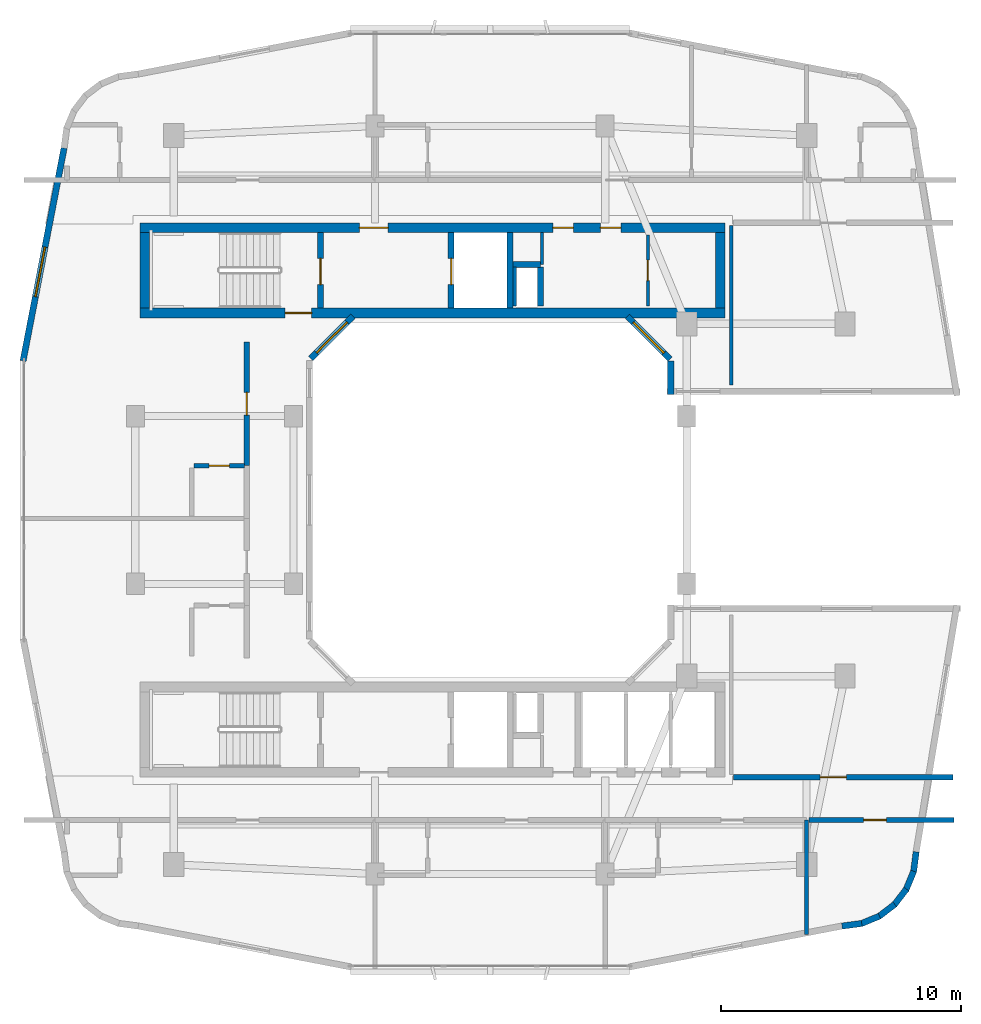
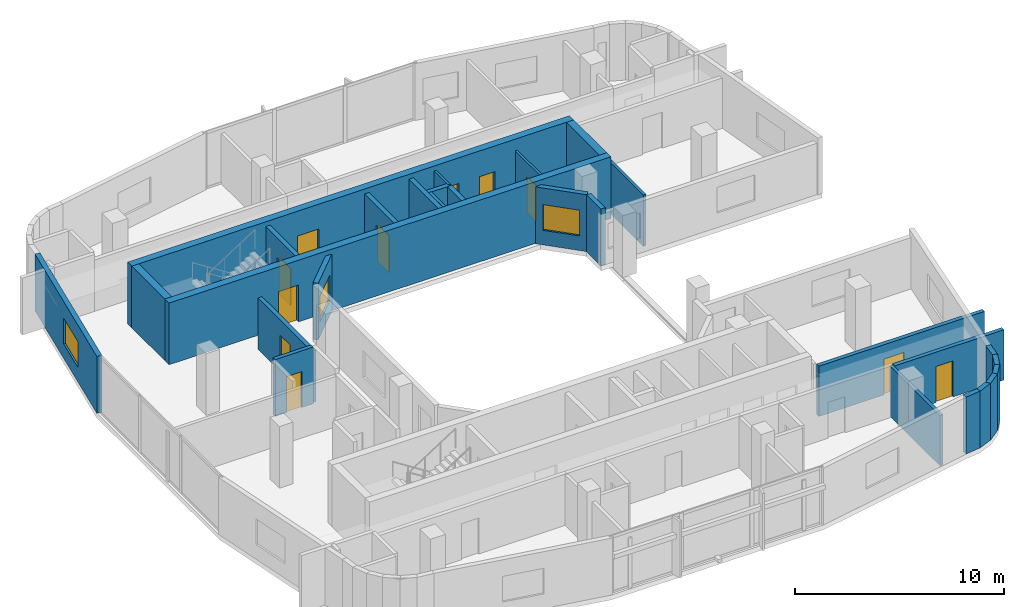
# One storey, part 6 of 12: 28 walls, 11 doors, 3 windows, 14 openings.
"""IFC4 building model written with IfcOpenShell, lengths in metres."""

import ifcopenshell
import ifcopenshell.guid

model = None  # the IFC model being written
_history = None  # IfcOwnerHistory: only IFC2X3 demands one
_inside = {}  # id of a spatial element -> (the spatial element, [elements in it])
_under = {}  # id of a project, library or spatial element -> (it, [spatial elements below it])
_declared = {}  # id of a project -> (the project, [libraries it declares])
_typed = {}  # id of a type object -> (the type object, [elements of that type])
_made_of = {}  # id of a material, layer set ... -> (it, [elements and type objects made of it])


def new_model(schema):
    """Start an empty IFC model of exactly this schema.

    Asked for "IFC4X3", IfcOpenShell would pick the latest addendum, in which some entities
    have other attributes; the version numbers below select the first issue.
    IFC2X3 requires an IfcOwnerHistory on every rooted entity: one is made here for all.
    """
    global model, _history
    if schema == "IFC4X3":
        model = ifcopenshell.file(schema_version=(4, 3, 0, 0))
    else:
        model = ifcopenshell.file(schema=schema)
    _inside.clear()
    _under.clear()
    _declared.clear()
    _typed.clear()
    _made_of.clear()
    _history = None
    if model.schema == "IFC2X3":
        org = make("IfcOrganization", Name="unknown")
        user = make(
            "IfcPersonAndOrganization",
            ThePerson=make("IfcPerson", FamilyName="unknown"),
            TheOrganization=org,
        )
        app = make(
            "IfcApplication",
            ApplicationDeveloper=org,
            Version="unknown",
            ApplicationFullName="unknown",
            ApplicationIdentifier="unknown",
        )
        _history = make(
            "IfcOwnerHistory",
            OwningUser=user,
            OwningApplication=app,
            ChangeAction="ADDED",
            CreationDate=0,
        )
    return model


def make(cls, **values):
    """One entity of the class cls with the attributes given. An attribute that is None is left unset."""
    return model.create_entity(
        cls, **{name: value for name, value in values.items() if value is not None}
    )


def rooted(cls, **values):
    """An entity with a GlobalId (a new one), such as an element, a storey or a relation."""
    return make(cls, GlobalId=ifcopenshell.guid.new(), OwnerHistory=_history, **values)


def si_unit(unit_type, name, prefix=None):
    """IfcSIUnit, for example si_unit("LENGTHUNIT", "METRE", prefix="MILLI")."""
    return make("IfcSIUnit", UnitType=unit_type, Prefix=prefix, Name=name)


def derived_unit(unit_type, elements):
    """IfcDerivedUnit: a product of units, each with its exponent."""
    return make(
        "IfcDerivedUnit",
        Elements=[
            make("IfcDerivedUnitElement", Unit=unit, Exponent=power)
            for unit, power in elements
        ],
        UnitType=unit_type,
    )


def assignment(units):
    """IfcUnitAssignment: the units of a project."""
    return None if units is None else make("IfcUnitAssignment", Units=units)


def point(xyz):
    """IfcCartesianPoint."""
    return None if xyz is None else make("IfcCartesianPoint", Coordinates=xyz)


def direction(xyz):
    """IfcDirection."""
    return None if xyz is None else make("IfcDirection", DirectionRatios=xyz)


def frame(location, z_axis=None, x_axis=None):
    """IfcAxis2Placement3D, a coordinate frame: its origin and axes. An axis left out is left unset."""
    return make(
        "IfcAxis2Placement3D",
        Location=point(location),
        Axis=direction(z_axis),
        RefDirection=direction(x_axis),
    )


def frame_2d(location, x_axis=None):
    """IfcAxis2Placement2D, a coordinate frame in the plane: its origin and x axis."""
    return make(
        "IfcAxis2Placement2D", Location=point(location), RefDirection=direction(x_axis)
    )


def origin():
    """The frame at (0, 0, 0) with its axes left unset."""
    return frame((0.0, 0.0, 0.0))


def place(relative_to, where):
    """IfcLocalPlacement: puts the frame where relative to a parent placement (None: the world)."""
    return make(
        "IfcLocalPlacement", PlacementRelTo=relative_to, RelativePlacement=where
    )


def context(
    kind, dimensions, precision=None, world=None, true_north=None, identifier=None
):
    """IfcGeometricRepresentationContext, for example the 3D "Model" context."""
    return make(
        "IfcGeometricRepresentationContext",
        ContextIdentifier=identifier,
        ContextType=kind,
        CoordinateSpaceDimension=dimensions,
        Precision=precision,
        WorldCoordinateSystem=world,
        TrueNorth=true_north,
    )


def subcontext(parent, identifier, kind, view, scale=None):
    """IfcGeometricRepresentationSubContext, for example "Body" below "Model"."""
    return make(
        "IfcGeometricRepresentationSubContext",
        ContextIdentifier=identifier,
        ContextType=kind,
        ParentContext=parent,
        TargetScale=scale,
        TargetView=view,
    )


def project(units=None, contexts=None):
    """IfcProject with its units and contexts."""
    return rooted(
        "IfcProject",
        Name="project",
        RepresentationContexts=contexts,
        UnitsInContext=assignment(units),
    )


def spatial(cls, under=None, at=None, **own):
    """A site, building, storey or space (cls), placed at a placement, below another one or the project."""
    s = rooted(cls, ObjectPlacement=at, **own)
    if under is not None:
        _under.setdefault(under.id(), (under, []))[1].append(s)
    return s


def profile(cls, at=None, kind="AREA", **sizes):
    """A parametric profile (cls). Its sizes go by their IFC names, for example OverallWidth=200.0."""
    return make(cls, ProfileType=kind, Position=at, **sizes)


def rectangle(**sizes):
    """IfcRectangleProfileDef."""
    return profile("IfcRectangleProfileDef", **sizes)


def extrude(swept, where, along, depth):
    """IfcExtrudedAreaSolid: the profile swept, set in the frame where, extruded along a direction by depth."""
    return make(
        "IfcExtrudedAreaSolid",
        SweptArea=swept,
        Position=where,
        ExtrudedDirection=direction(along),
        Depth=depth,
    )


def shape(context_of_items, identifier, shape_type, items):
    """IfcShapeRepresentation: the items that make up one representation, for example the "Body"."""
    return make(
        "IfcShapeRepresentation",
        ContextOfItems=context_of_items,
        RepresentationIdentifier=identifier,
        RepresentationType=shape_type,
        Items=items,
    )


def material(Name=None, Category=None):
    """IfcMaterial."""
    return make("IfcMaterial", Name=Name, Category=Category)


def layer(
    of_material, thickness, ventilated=None, Name=None, Category=None, Priority=None
):
    """IfcMaterialLayer: one layer of a wall or slab, of a material (None: an air gap)."""
    return make(
        "IfcMaterialLayer",
        Material=of_material,
        LayerThickness=thickness,
        IsVentilated=ventilated,
        Name=Name,
        Category=Category,
        Priority=Priority,
    )


def layer_set(layers, Name=None):
    """IfcMaterialLayerSet."""
    return make("IfcMaterialLayerSet", MaterialLayers=layers, LayerSetName=Name)


def made_of(thing, what):
    """Note that an element or type object is made of a material, layer set ...; save() writes the relation."""
    if what is not None:
        _made_of.setdefault(what.id(), (what, []))[1].append(thing)
    return thing


def type_object(cls, material=None, **own):
    """A type object (cls), such as IfcWallType, which elements share."""
    return made_of(rooted(cls, **own), material)


def element(
    cls,
    number,
    at=None,
    inside=None,
    cuts=None,
    type_object=None,
    material=None,
    context=None,
    identifier="Body",
    shape_type=None,
    held_by="IfcProductDefinitionShape",
    body=None,
    shapes=None,
    **own,
):
    """One element of the class cls, such as IfcWall. Its Tag is "e" and its number.

    at: its placement. inside: the storey or other place that contains it. cuts: it is an
    opening in that element (IfcRelVoidsElement). A single representation is given by context,
    identifier, shape_type and body (its items); several are given by shapes. held_by: the class
    of the entity that holds the representations. save() writes the other relations.
    """
    e = rooted(cls, Tag="e%d" % number, ObjectPlacement=at, **own)
    if body is not None:
        shapes = [shape(context, identifier, shape_type, body)]
    if shapes is not None:
        e.Representation = make(held_by, Representations=shapes)
    if inside is not None:
        _inside.setdefault(inside.id(), (inside, []))[1].append(e)
    if cuts is not None:
        rooted(
            "IfcRelVoidsElement", RelatingBuildingElement=cuts, RelatedOpeningElement=e
        )
    if type_object is not None:
        _typed.setdefault(type_object.id(), (type_object, []))[1].append(e)
    return made_of(e, material)


def fill(opening, filler):
    """IfcRelFillsElement: the door or window that sits in an opening."""
    return rooted(
        "IfcRelFillsElement",
        RelatingOpeningElement=opening,
        RelatedBuildingElement=filler,
    )


def aggregate(whole, parts):
    """IfcRelAggregates: a whole, such as a stair, and the parts it consists of."""
    return rooted("IfcRelAggregates", RelatingObject=whole, RelatedObjects=parts)


def save(model, path):
    """Write the relations noted so far, then the file.

    IfcRelAggregates (storeys below a building ...), IfcRelContainedInSpatialStructure (elements
    in a storey), IfcRelDefinesByType, IfcRelAssociatesMaterial and IfcRelDeclares: one each for
    every whole, place, type object, material and project.
    """
    for whole, parts in _under.values():
        aggregate(whole, parts)
    for where, things in _inside.values():
        rooted(
            "IfcRelContainedInSpatialStructure",
            RelatedElements=things,
            RelatingStructure=where,
        )
    for kind, things in _typed.values():
        rooted("IfcRelDefinesByType", RelatedObjects=things, RelatingType=kind)
    for what, things in _made_of.values():
        rooted("IfcRelAssociatesMaterial", RelatedObjects=things, RelatingMaterial=what)
    for by, libraries in _declared.values():
        rooted("IfcRelDeclares", RelatingContext=by, RelatedDefinitions=libraries)
    model.write(path)


model = new_model("IFC4")

# Units and contexts
model_context = context("Model", 3, precision=1e-05, world=origin(), true_north=direction((0.0, 1.0)))
body_context = subcontext(model_context, "Body", "Model", "MODEL_VIEW")
ifc_project = project(units=[si_unit("LENGTHUNIT", "METRE"), si_unit("AREAUNIT", "SQUARE_METRE"), si_unit("VOLUMEUNIT", "CUBIC_METRE"), si_unit("PLANEANGLEUNIT", "RADIAN"), si_unit("MASSUNIT", "GRAM", prefix="KILO"), derived_unit("THERMALTRANSMITTANCEUNIT", [(si_unit("POWERUNIT", "WATT"), 1), (si_unit("LENGTHUNIT", "METRE"), -2), (si_unit("THERMODYNAMICTEMPERATUREUNIT", "KELVIN"), -1)])], contexts=[model_context])

# Site, building, storey
site_placement = place(None, origin())
site = spatial("IfcSite", under=ifc_project, at=site_placement, CompositionType="ELEMENT")
building_placement = place(site_placement, origin())
building = spatial("IfcBuilding", under=site, at=building_placement, Name="Kivonza Crest Hotel", CompositionType="ELEMENT")
storey_placement = place(building_placement, frame((0.0, 0.0, 188.300048828125)))
storey = spatial("IfcBuildingStorey", under=building, at=storey_placement, Name="L51", CompositionType="ELEMENT", Elevation=188.300048828125)

# Wall
ifc_material_1 = material(Name="High-density acoustic masonry inter-tenancy wall", Category="masonry")
ifc_layer_1 = layer(ifc_material_1, 0.179931640625)
ifc_layer_set_1 = layer_set([ifc_layer_1], Name="High-density acoustic masonry inter-tenancy wall")
wall_type_1 = type_object("IfcWallType", Name="WL-ACOU-180", PredefinedType="SOLIDWALL", material=ifc_layer_set_1)
wall_1_placement = place(storey_placement, frame((34.199951171875, 6.8720703125, 0.0), z_axis=(0.0, 0.0, 1.0), x_axis=(0.0, 1.0, 0.0)))
element("IfcWall", 1, at=wall_1_placement, inside=storey, type_object=wall_type_1, Name="L51 interior partition WA-L51-T1S-DIV3", PredefinedType="SOLIDWALL", context=body_context, shape_type="SweptSolid", body=[
    extrude(rectangle(XDim=4.77783203125, YDim=0.179931640625, at=frame_2d((2.388916015625, 0.0))), origin(), (0.0, 0.0, 1.0), 2.93505859375),
])

# Wall, opening, door
ifc_material_2 = material(Name="Autoclaved aerated concrete blockwork", Category="masonry")
ifc_layer_2 = layer(ifc_material_2, 0.219970703125)
ifc_layer_set_2 = layer_set([ifc_layer_2], Name="Autoclaved aerated concrete blockwork")
wall_type_2 = type_object("IfcWallType", Name="WL-ACOU-220", PredefinedType="SOLIDWALL", material=ifc_layer_set_2)
wall_2_placement = place(storey_placement, frame((34.300048828125, 11.64990234375, 0.0), z_axis=(0.0, 0.0, 1.0), x_axis=(1.0, 0.0, 0.0)))
wall_2 = element("IfcWall", 2, at=wall_2_placement, inside=storey, type_object=wall_type_2, Name="L51 interior partition WA-L51-BUS-MTG-N", PredefinedType="SOLIDWALL", context=body_context, shape_type="SweptSolid", body=[
    extrude(rectangle(XDim=6.0400390625, YDim=0.219970703125, at=frame_2d((3.02001953125, 0.0))), origin(), (0.0, 0.0, 1.0), 2.93505859375),
])
opening_1_placement = place(wall_2_placement, frame((2.280029296875, 0.0, 0.0)))
opening_1 = element("IfcOpeningElement", 3, at=opening_1_placement, cuts=wall_2, Name="Opening DF-60S", PredefinedType="OPENING", context=body_context, shape_type="SweptSolid", body=[
    extrude(rectangle(XDim=0.949951171875, YDim=2.10009765625, at=frame_2d((0.47509765625, 1.050048828125))), frame((0.0, 0.1201171875, 0.0), z_axis=(0.0, -1.0, 0.0), x_axis=(1.0, 0.0, 0.0)), (0.0, 0.0, 1.0), 0.239990234375),
])
ifc_material_3 = material(Name="Hardwood timber oak", Category="wood")
door_type_1 = type_object("IfcDoorType", Name="DR-FD60-950", OperationType="NOTDEFINED", PredefinedType="DOOR", material=ifc_material_3)
door_1_placement = place(opening_1_placement, frame((0.949951171875, 0.0, 0.0), z_axis=(0.0, 0.0, 1.0), x_axis=(-1.0, 0.0, 0.0)))
door_1 = element("IfcDoor", 4, at=door_1_placement, inside=storey, type_object=door_type_1, Name="L51 Executive Club Lounge door", OperationType="SINGLE_SWING_RIGHT", OverallHeight=2.10009765625, OverallWidth=0.949951171875, PredefinedType="DOOR", context=body_context, shape_type="SweptSolid", body=[
    extrude(rectangle(XDim=0.949951171875, YDim=2.10009765625, at=frame_2d((0.47509765625, 1.050048828125))), frame((0.0, 0.02490234375, 0.0), z_axis=(0.0, -1.0, 0.0), x_axis=(1.0, 0.0, 0.0)), (0.0, 0.0, 1.0), 0.050048828125),
])
fill(opening_1, door_1)

wall_3_placement = place(storey_placement, frame((10.85009765625, 26.429931640625, 0.0), z_axis=(0.0, 0.0, 1.0), x_axis=(0.0, 1.0, 0.0)))
wall_3 = element("IfcWall", 5, at=wall_3_placement, inside=storey, type_object=wall_type_2, Name="L51 interior partition WA-L51-W08-MCORR", PredefinedType="SOLIDWALL", context=body_context, shape_type="SweptSolid", body=[
    extrude(rectangle(XDim=5.170166015625, YDim=0.219970703125, at=frame_2d((2.5849609375, 0.0))), origin(), (0.0, 0.0, 1.0), 2.994873046875),
])
opening_2_placement = place(wall_3_placement, frame((2.110107421875, 0.0, 0.0)))
opening_2 = element("IfcOpeningElement", 6, at=opening_2_placement, cuts=wall_3, Name="Opening DU-60", PredefinedType="OPENING", context=body_context, shape_type="SweptSolid", body=[
    extrude(rectangle(XDim=0.949951171875, YDim=2.10009765625, at=frame_2d((0.47509765625, 1.050048828125))), frame((0.0, 0.1201171875, 0.0), z_axis=(0.0, -1.0, 0.0), x_axis=(1.0, 0.0, 0.0)), (0.0, 0.0, 1.0), 0.239990234375),
])
door_type_2 = type_object("IfcDoorType", Name="DR-UNIT-950", OperationType="NOTDEFINED", PredefinedType="DOOR", material=ifc_material_3)
door_2_placement = place(opening_2_placement, origin())
door_2 = element("IfcDoor", 7, at=door_2_placement, inside=storey, type_object=door_type_2, Name="L51 W08 guest unit entrance fire door", OperationType="SINGLE_SWING_RIGHT", OverallHeight=2.10009765625, OverallWidth=0.949951171875, PredefinedType="DOOR", context=body_context, shape_type="SweptSolid", body=[
    extrude(rectangle(XDim=0.949951171875, YDim=2.10009765625, at=frame_2d((0.47509765625, 1.050048828125))), frame((0.0, 0.02490234375, 0.0), z_axis=(0.0, -1.0, 0.0), x_axis=(1.0, 0.0, 0.0)), (0.0, 0.0, 1.0), 0.050048828125),
])
fill(opening_2, door_2)

wall_4_placement = place(storey_placement, frame((31.14990234375, 13.43994140625, 0.0), z_axis=(0.0, 0.0, 1.0), x_axis=(1.0, 0.0, 0.0)))
wall_4 = element("IfcWall", 8, at=wall_4_placement, inside=storey, type_object=wall_type_2, Name="L51 interior partition WA-L51-EP1-S", PredefinedType="SOLIDWALL", context=body_context, shape_type="SweptSolid", body=[
    extrude(rectangle(XDim=9.150146484375, YDim=0.219970703125, at=frame_2d((4.5751953125, 0.0))), origin(), (0.0, 0.0, 1.0), 2.93505859375),
])
opening_3_placement = place(wall_4_placement, frame((3.612060546875, 0.0, 0.0)))
opening_3 = element("IfcOpeningElement", 9, at=opening_3_placement, cuts=wall_4, Name="Opening DF-60M", PredefinedType="OPENING", context=body_context, shape_type="SweptSolid", body=[
    extrude(rectangle(XDim=1.10009765625, YDim=2.10009765625, at=frame_2d((0.550048828125, 1.050048828125))), frame((0.0, 0.1201171875, 0.0), z_axis=(0.0, -1.0, 0.0), x_axis=(1.0, 0.0, 0.0)), (0.0, 0.0, 1.0), 0.239990234375),
])
door_type_3 = type_object("IfcDoorType", Name="DR-FD60-1100", OperationType="NOTDEFINED", PredefinedType="DOOR", material=ifc_material_3)
door_3_placement = place(opening_3_placement, origin())
door_3 = element("IfcDoor", 10, at=door_3_placement, inside=storey, type_object=door_type_3, Name="L51 South Portal Sky Salon door", OperationType="SINGLE_SWING_RIGHT", OverallHeight=2.10009765625, OverallWidth=1.10009765625, PredefinedType="DOOR", context=body_context, shape_type="SweptSolid", body=[
    extrude(rectangle(XDim=1.10009765625, YDim=2.10009765625, at=frame_2d((0.550048828125, 1.050048828125))), frame((0.0, 0.02490234375, 0.0), z_axis=(0.0, -1.0, 0.0), x_axis=(1.0, 0.0, 0.0)), (0.0, 0.0, 1.0), 0.050048828125),
])
fill(opening_3, door_3)

ifc_material_4 = material(Name="Concrete C50/60", Category="concrete")
ifc_layer_3 = layer(ifc_material_4, 0.39990234375)
ifc_layer_set_3 = layer_set([ifc_layer_3], Name="Concrete C50/60")
wall_type_3 = type_object("IfcWallType", Name="WL-CORE-400", PredefinedType="SHEAR", material=ifc_layer_set_3)
wall_5_placement = place(storey_placement, frame((6.39990234375, 32.800048828125, 0.0), z_axis=(0.0, 0.0, 1.0), x_axis=(1.0, 0.0, 0.0)))
wall_5 = element("IfcWall", 11, at=wall_5_placement, inside=storey, type_object=wall_type_3, Name="Core wall T1-N South L51", PredefinedType="SHEAR", context=body_context, shape_type="SweptSolid", body=[
    extrude(rectangle(XDim=24.400146484375, YDim=0.39990234375, at=frame_2d((12.2001953125, 0.0))), origin(), (0.0, 0.0, 1.0), 3.599853515625),
])
opening_4_placement = place(wall_5_placement, frame((6.050048828125, 0.0, 0.0)))
opening_4 = element("IfcOpeningElement", 12, at=opening_4_placement, cuts=wall_5, Name="Opening DF-120", PredefinedType="OPENING", context=body_context, shape_type="SweptSolid", body=[
    extrude(rectangle(XDim=1.10009765625, YDim=2.14990234375, at=frame_2d((0.550048828125, 1.074951171875))), frame((0.0, 0.2099609375, 0.0), z_axis=(0.0, -1.0, 0.0), x_axis=(1.0, 0.0, 0.0)), (0.0, 0.0, 1.0), 0.419921875),
])
ifc_material_5 = material(Name="Galvanised steel", Category="steel")
door_type_4 = type_object("IfcDoorType", Name="DR-FD120-1100", OperationType="NOTDEFINED", PredefinedType="DOOR", material=ifc_material_5)
door_4_placement = place(opening_4_placement, origin())
door_4 = element("IfcDoor", 13, at=door_4_placement, inside=storey, type_object=door_type_4, Name="L51 West corridor stair access fire door", OperationType="SINGLE_SWING_LEFT", OverallHeight=2.14990234375, OverallWidth=1.10009765625, PredefinedType="DOOR", context=body_context, shape_type="SweptSolid", body=[
    extrude(rectangle(XDim=1.10009765625, YDim=2.14990234375, at=frame_2d((0.550048828125, 1.074951171875))), frame((0.0, 0.02490234375, 0.0), z_axis=(0.0, -1.0, 0.0), x_axis=(1.0, 0.0, 0.0)), (0.0, 0.0, 1.0), 0.050048828125),
])
fill(opening_4, door_4)

# Wall, openings, doors
wall_6_placement = place(storey_placement, frame((6.39990234375, 36.360107421875, 0.0), z_axis=(0.0, 0.0, 1.0), x_axis=(1.0, 0.0, 0.0)))
wall_6 = element("IfcWall", 14, at=wall_6_placement, inside=storey, type_object=wall_type_3, Name="Core wall T1-N North L51", PredefinedType="SHEAR", context=body_context, shape_type="SweptSolid", body=[
    extrude(rectangle(XDim=24.400146484375, YDim=0.39990234375, at=frame_2d((12.2001953125, 0.0))), origin(), (0.0, 0.0, 1.0), 3.599853515625),
])
opening_5_placement = place(wall_6_placement, frame((9.14990234375, 0.0, 0.0)))
opening_5 = element("IfcOpeningElement", 15, at=opening_5_placement, cuts=wall_6, Name="Opening DF-60", PredefinedType="OPENING", context=body_context, shape_type="SweptSolid", body=[
    extrude(rectangle(XDim=1.199951171875, YDim=2.14990234375, at=frame_2d((0.60009765625, 1.074951171875))), frame((0.0, 0.2099609375, 0.0), z_axis=(0.0, -1.0, 0.0), x_axis=(1.0, 0.0, 0.0)), (0.0, 0.0, 1.0), 0.419921875),
])
opening_6_placement = place(wall_6_placement, frame((19.199951171875, 0.0, 0.0)))
opening_6 = element("IfcOpeningElement", 16, at=opening_6_placement, cuts=wall_6, Name="Opening DF-60R", PredefinedType="OPENING", context=body_context, shape_type="SweptSolid", body=[
    extrude(rectangle(XDim=0.85009765625, YDim=2.10009765625, at=frame_2d((0.425048828125, 1.050048828125))), frame((0.0, 0.2099609375, 0.0), z_axis=(0.0, -1.0, 0.0), x_axis=(1.0, 0.0, 0.0)), (0.0, 0.0, 1.0), 0.419921875),
])
opening_7_placement = place(wall_6_placement, frame((17.219970703125, 0.0, 0.0)))
opening_7 = element("IfcOpeningElement", 17, at=opening_7_placement, cuts=wall_6, Name="Opening DF-60R", PredefinedType="OPENING", context=body_context, shape_type="SweptSolid", body=[
    extrude(rectangle(XDim=0.85009765625, YDim=2.10009765625, at=frame_2d((0.425048828125, 1.050048828125))), frame((0.0, 0.2099609375, 0.0), z_axis=(0.0, -1.0, 0.0), x_axis=(1.0, 0.0, 0.0)), (0.0, 0.0, 1.0), 0.419921875),
])
door_type_5 = type_object("IfcDoorType", Name="DR-FD60-1200", OperationType="NOTDEFINED", PredefinedType="DOOR", material=ifc_material_3)
door_5_placement = place(opening_5_placement, origin())
door_5 = element("IfcDoor", 18, at=door_5_placement, inside=storey, type_object=door_type_5, Name="L51 T1-N firefighting lobby fire door", OperationType="SINGLE_SWING_RIGHT", OverallHeight=2.14990234375, OverallWidth=1.199951171875, PredefinedType="DOOR", context=body_context, shape_type="SweptSolid", body=[
    extrude(rectangle(XDim=1.199951171875, YDim=2.14990234375, at=frame_2d((0.60009765625, 1.074951171875))), frame((0.0, 0.02490234375, 0.0), z_axis=(0.0, -1.0, 0.0), x_axis=(1.0, 0.0, 0.0)), (0.0, 0.0, 1.0), 0.050048828125),
])
fill(opening_5, door_5)
door_type_6 = type_object("IfcDoorType", Name="DR-FD60-850", OperationType="NOTDEFINED", PredefinedType="DOOR", material=ifc_material_3)
door_6_placement = place(opening_6_placement, origin())
door_6 = element("IfcDoor", 19, at=door_6_placement, inside=storey, type_object=door_type_6, Name="L51 T1-N reclaimed core service door", OperationType="SINGLE_SWING_LEFT", OverallHeight=2.10009765625, OverallWidth=0.85009765625, PredefinedType="DOOR", context=body_context, shape_type="SweptSolid", body=[
    extrude(rectangle(XDim=0.85009765625, YDim=2.10009765625, at=frame_2d((0.425048828125, 1.050048828125))), frame((0.0, 0.02490234375, 0.0), z_axis=(0.0, -1.0, 0.0), x_axis=(1.0, 0.0, 0.0)), (0.0, 0.0, 1.0), 0.050048828125),
])
fill(opening_6, door_6)
door_7_placement = place(opening_7_placement, origin())
door_7 = element("IfcDoor", 20, at=door_7_placement, inside=storey, type_object=door_type_6, Name="L51 T1-N core room door", OperationType="SINGLE_SWING_RIGHT", OverallHeight=2.10009765625, OverallWidth=0.85009765625, PredefinedType="DOOR", context=body_context, shape_type="SweptSolid", body=[
    extrude(rectangle(XDim=0.85009765625, YDim=2.10009765625, at=frame_2d((0.425048828125, 1.050048828125))), frame((0.0, 0.02490234375, 0.0), z_axis=(0.0, -1.0, 0.0), x_axis=(1.0, 0.0, 0.0)), (0.0, 0.0, 1.0), 0.050048828125),
])
fill(opening_7, door_7)

# Walls
for number, where, z_axis, x_axis, name in (
    (21, (6.60009765625, 33.0, 0.0), (0.0, 0.0, 1.0), (0.0, 1.0, 0.0), "Core wall T1-N West L51"),
    (22, (30.60009765625, 33.0, 0.0), (0.0, 0.0, 1.0), (0.0, 1.0, 0.0), "Core wall T1-N East L51"),
):
    element("IfcWall", number, at=place(storey_placement, frame(where, z_axis=z_axis, x_axis=x_axis)), inside=storey, type_object=wall_type_3, Name=name, PredefinedType="SHEAR", context=body_context, shape_type="SweptSolid", body=[
        extrude(rectangle(XDim=3.159912109375, YDim=0.39990234375, at=frame_2d((1.580078125, 0.0))), origin(), (0.0, 0.0, 1.0), 3.599853515625),
    ])
ifc_material_6 = material(Name="Precast concrete C40/50", Category="concrete")
ifc_layer_4 = layer(ifc_material_6, 0.260009765625)
ifc_layer_set_4 = layer_set([ifc_layer_4], Name="Precast concrete C40/50")
wall_type_4 = type_object("IfcWallType", Name="WL-EXT-260", PredefinedType="STANDARD", material=ifc_layer_set_4)
wall_7_placement = place(storey_placement, frame((35.675048828125, 7.22802734375, 0.0), z_axis=(0.0, 0.0, 1.0), x_axis=(0.99142134712, 0.130704676564, 0.0)))
element("IfcWall", 23, at=wall_7_placement, inside=storey, type_object=wall_type_4, Name="L51 T1 exterior insulated wall 10", PredefinedType="STANDARD", context=body_context, shape_type="SweptSolid", body=[
    extrude(rectangle(XDim=0.8330078125, YDim=0.260009765625, at=frame_2d((0.41650390625, 0.0))), origin(), (0.0, 0.0, 1.0), 3.320068359375),
])
wall_8_placement = place(storey_placement, frame((36.455078125, 7.319091796875, 0.0), z_axis=(0.0, 0.0, 1.0), x_axis=(0.923712395518, 0.383086687796, 0.0)))
element("IfcWall", 24, at=wall_8_placement, inside=storey, type_object=wall_type_4, Name="L51 T1 exterior insulated wall 11", PredefinedType="STANDARD", context=body_context, shape_type="SweptSolid", body=[
    extrude(rectangle(XDim=0.850830078125, YDim=0.260009765625, at=frame_2d((0.42529296875, 0.0))), origin(), (0.0, 0.0, 1.0), 3.320068359375),
])
for number, where, z_axis, x_axis, name in (
    (25, (37.200927734375, 7.616943359375, 0.0), (0.0, 0.0, 1.0), (0.793860452124, 0.608099977432, 0.0), "L51 T1 exterior insulated wall 12"),
    (26, (37.844970703125, 8.095947265625, 0.0), (0.0, 0.0, 1.0), (0.608099977432, 0.793860452124, 0.0), "L51 T1 exterior insulated wall 13"),
):
    element("IfcWall", number, at=place(storey_placement, frame(where, z_axis=z_axis, x_axis=x_axis)), inside=storey, type_object=wall_type_4, Name=name, PredefinedType="STANDARD", context=body_context, shape_type="SweptSolid", body=[
        extrude(rectangle(XDim=0.850341796875, YDim=0.260009765625, at=frame_2d((0.42529296875, 0.0))), origin(), (0.0, 0.0, 1.0), 3.320068359375),
    ])
wall_9_placement = place(storey_placement, frame((38.341064453125, 8.72705078125, 0.0), z_axis=(0.0, 0.0, 1.0), x_axis=(0.383086687796, 0.923712395518, 0.0)))
element("IfcWall", 27, at=wall_9_placement, inside=storey, type_object=wall_type_4, Name="L51 T1 exterior insulated wall 14", PredefinedType="STANDARD", context=body_context, shape_type="SweptSolid", body=[
    extrude(rectangle(XDim=0.850830078125, YDim=0.260009765625, at=frame_2d((0.42529296875, 0.0))), origin(), (0.0, 0.0, 1.0), 3.320068359375),
])
wall_10_placement = place(storey_placement, frame((38.658935546875, 9.464111328125, 0.0), z_axis=(0.0, 0.0, 1.0), x_axis=(0.130192647656, 0.991488716273, 0.0)))
element("IfcWall", 28, at=wall_10_placement, inside=storey, type_object=wall_type_4, Name="L51 T1 exterior insulated wall 15", PredefinedType="STANDARD", context=body_context, shape_type="SweptSolid", body=[
    extrude(rectangle(XDim=0.8681640625, YDim=0.260009765625, at=frame_2d((0.43408203125, 0.0))), origin(), (0.0, 0.0, 1.0), 3.320068359375),
])

# Wall, opening, window
wall_11_placement = place(storey_placement, frame((13.514892578125, 30.89892578125, 0.0), z_axis=(0.0, 0.0, 1.0), x_axis=(0.707106781187, 0.707106781187, 0.0)))
wall_11 = element("IfcWall", 29, at=wall_11_placement, inside=storey, type_object=wall_type_4, Name="L51 T1 exterior insulated wall 23", PredefinedType="STANDARD", context=body_context, shape_type="SweptSolid", body=[
    extrude(rectangle(XDim=2.493408203125, YDim=0.260009765625, at=frame_2d((1.24658203125, 0.0))), origin(), (0.0, 0.0, 1.0), 3.320068359375),
])
opening_8_placement = place(wall_11_placement, frame((0.346923828125, 0.0, 0.85009765625)))
opening_8 = element("IfcOpeningElement", 30, at=opening_8_placement, cuts=wall_11, Name="Opening WN-03", PredefinedType="OPENING", context=body_context, shape_type="SweptSolid", body=[
    extrude(rectangle(XDim=1.800048828125, YDim=1.5, at=frame_2d((0.89990234375, 0.75))), frame((0.0, 0.14013671875, 0.0), z_axis=(0.0, -1.0, 0.0), x_axis=(1.0, 0.0, 0.0)), (0.0, 0.0, 1.0), 0.280029296875),
])
ifc_material_7 = material(Name="Thermally broken bronze aluminium and low-E double glazing", Category="aluminium")
window_type_1 = type_object("IfcWindowType", Name="WN-180x150", PartitioningType="DOUBLE_PANEL_VERTICAL", PredefinedType="WINDOW", material=ifc_material_7)
window_1_placement = place(opening_8_placement, origin())
window_1 = element("IfcWindow", 31, at=window_1_placement, inside=storey, type_object=window_type_1, Name="L51 T1 facade window 23", OverallHeight=1.5, OverallWidth=1.800048828125, PartitioningType="SINGLE_PANEL", PredefinedType="WINDOW", context=body_context, shape_type="SweptSolid", body=[
    extrude(rectangle(XDim=1.800048828125, YDim=1.5, at=frame_2d((0.89990234375, 0.75))), frame((0.0, 0.030029296875, 0.0), z_axis=(0.0, -1.0, 0.0), x_axis=(1.0, 0.0, 0.0)), (0.0, 0.0, 1.0), 0.06005859375),
])
fill(opening_8, window_1)

wall_12_placement = place(storey_placement, frame((26.721923828125, 32.662109375, 0.0), z_axis=(0.0, 0.0, 1.0), x_axis=(0.707106781187, -0.707106781187, 0.0)))
wall_12 = element("IfcWall", 32, at=wall_12_placement, inside=storey, type_object=wall_type_4, Name="L51 T1 exterior insulated wall 25", PredefinedType="STANDARD", context=body_context, shape_type="SweptSolid", body=[
    extrude(rectangle(XDim=2.52880859375, YDim=0.260009765625, at=frame_2d((1.264404296875, 0.0))), origin(), (0.0, 0.0, 1.0), 3.320068359375),
])
opening_9_placement = place(wall_12_placement, frame((0.364013671875, 0.0, 0.85009765625)))
opening_9 = element("IfcOpeningElement", 33, at=opening_9_placement, cuts=wall_12, Name="Opening WN-03", PredefinedType="OPENING", context=body_context, shape_type="SweptSolid", body=[
    extrude(rectangle(XDim=1.800048828125, YDim=1.5, at=frame_2d((0.89990234375, 0.75))), frame((0.0, 0.14013671875, 0.0), z_axis=(0.0, -1.0, 0.0), x_axis=(1.0, 0.0, 0.0)), (0.0, 0.0, 1.0), 0.280029296875),
])
window_2_placement = place(opening_9_placement, origin())
window_2 = element("IfcWindow", 34, at=window_2_placement, inside=storey, type_object=window_type_1, Name="L51 T1 facade window 25", OverallHeight=1.5, OverallWidth=1.800048828125, PartitioningType="SINGLE_PANEL", PredefinedType="WINDOW", context=body_context, shape_type="SweptSolid", body=[
    extrude(rectangle(XDim=1.800048828125, YDim=1.5, at=frame_2d((0.89990234375, 0.75))), frame((0.0, 0.030029296875, 0.0), z_axis=(0.0, -1.0, 0.0), x_axis=(1.0, 0.0, 0.0)), (0.0, 0.0, 1.0), 0.06005859375),
])
fill(opening_9, window_2)

# Wall
wall_13_placement = place(storey_placement, frame((28.530029296875, 30.7900390625, 0.0), z_axis=(0.0, 0.0, 1.0), x_axis=(0.0, -1.0, 0.0)))
element("IfcWall", 35, at=wall_13_placement, inside=storey, type_object=wall_type_4, Name="L51 T1 exterior insulated wall 26", PredefinedType="STANDARD", context=body_context, shape_type="SweptSolid", body=[
    extrude(rectangle(XDim=1.380126953125, YDim=0.260009765625, at=frame_2d((0.68994140625, 0.0))), origin(), (0.0, 0.0, 1.0), 3.320068359375),
])

# Wall, opening, window
wall_14_placement = place(storey_placement, frame((3.22998046875, 39.68310546875, 0.0), z_axis=(0.0, 0.0, 1.0), x_axis=(-0.189254809039, -0.98192801022, 0.0)))
wall_14 = element("IfcWall", 36, at=wall_14_placement, inside=storey, type_object=wall_type_4, Name="L51 T1 exterior insulated wall 44", PredefinedType="STANDARD", context=body_context, shape_type="SweptSolid", body=[
    extrude(rectangle(XDim=9.045654296875, YDim=0.260009765625, at=frame_2d((4.52294921875, 0.0))), origin(), (0.0, 0.0, 1.0), 3.320068359375),
])
opening_10_placement = place(wall_14_placement, frame((4.2119140625, 0.0, 0.85009765625)))
opening_10 = element("IfcOpeningElement", 37, at=opening_10_placement, cuts=wall_14, Name="Opening WN-04", PredefinedType="OPENING", context=body_context, shape_type="SweptSolid", body=[
    extrude(rectangle(XDim=2.10009765625, YDim=1.5, at=frame_2d((1.050048828125, 0.75))), frame((0.0, 0.14013671875, 0.0), z_axis=(0.0, -1.0, 0.0), x_axis=(1.0, 0.0, 0.0)), (0.0, 0.0, 1.0), 0.280029296875),
])
window_type_2 = type_object("IfcWindowType", Name="WN-210x150", PartitioningType="DOUBLE_PANEL_VERTICAL", PredefinedType="WINDOW", material=ifc_material_7)
window_3_placement = place(opening_10_placement, origin())
window_3 = element("IfcWindow", 38, at=window_3_placement, inside=storey, type_object=window_type_2, Name="L51 T1 facade window 44", OverallHeight=1.5, OverallWidth=2.10009765625, PartitioningType="SINGLE_PANEL", PredefinedType="WINDOW", context=body_context, shape_type="SweptSolid", body=[
    extrude(rectangle(XDim=2.10009765625, YDim=1.5, at=frame_2d((1.050048828125, 0.75))), frame((0.0, 0.030029296875, 0.0), z_axis=(0.0, -1.0, 0.0), x_axis=(1.0, 0.0, 0.0)), (0.0, 0.0, 1.0), 0.06005859375),
])
fill(opening_10, window_3)

# Walls
ifc_material_8 = material(Name="Concrete blockwork fire-compartment wall", Category="masonry")
ifc_layer_5 = layer(ifc_material_8, 0.25)
ifc_layer_set_5 = layer_set([ifc_layer_5], Name="Concrete blockwork fire-compartment wall")
wall_type_5 = type_object("IfcWallType", Name="WL-FIRE-250", PredefinedType="SOLIDWALL", material=ifc_layer_set_5)
wall_15_placement = place(storey_placement, frame((23.10009765625, 33.10009765625, 0.0), z_axis=(0.0, 0.0, 1.0), x_axis=(0.0, 1.0, 0.0)))
element("IfcWall", 39, at=wall_15_placement, inside=storey, type_object=wall_type_5, Name="L51 interior partition WA-L51-T1-N-MEPR-E", PredefinedType="SOLIDWALL", context=body_context, shape_type="SweptSolid", body=[
    extrude(rectangle(XDim=1.619873046875, YDim=0.25, at=frame_2d((0.81005859375, 0.0))), origin(), (0.0, 0.0, 1.0), 3.320068359375),
])
wall_16_placement = place(storey_placement, frame((21.949951171875, 34.820068359375, 0.0), z_axis=(0.0, 0.0, 1.0), x_axis=(1.0, 0.0, 0.0)))
element("IfcWall", 40, at=wall_16_placement, inside=storey, type_object=wall_type_5, Name="L51 interior partition WA-L51-T1-N-MEPR-H", PredefinedType="SOLIDWALL", context=body_context, shape_type="SweptSolid", body=[
    extrude(rectangle(XDim=1.150146484375, YDim=0.25, at=frame_2d((0.5751953125, 0.0))), origin(), (0.0, 0.0, 1.0), 3.320068359375),
])

# Wall, opening, door
ifc_material_9 = material(Name="Metal-stud gypsum board partition", Category="gypsum")
ifc_layer_6 = layer(ifc_material_9, 0.125)
ifc_layer_set_6 = layer_set([ifc_layer_6], Name="Metal-stud gypsum board partition")
wall_type_6 = type_object("IfcWallType", Name="WL-PART-125", PredefinedType="PARTITIONING", material=ifc_layer_set_6)
wall_17_placement = place(storey_placement, frame((27.580078125, 33.10009765625, 0.0), z_axis=(0.0, 0.0, 1.0), x_axis=(0.0, 1.0, 0.0)))
wall_17 = element("IfcWall", 41, at=wall_17_placement, inside=storey, type_object=wall_type_6, Name="L51 interior partition WP-L51-T1-N-RECL", PredefinedType="PARTITIONING", context=body_context, shape_type="SweptSolid", body=[
    extrude(rectangle(XDim=2.9599609375, YDim=0.125, at=frame_2d((1.47998046875, 0.0))), origin(), (0.0, 0.0, 1.0), 2.994873046875),
])
opening_11_placement = place(wall_17_placement, frame((1.054931640625, 0.0, 0.0)))
opening_11 = element("IfcOpeningElement", 42, at=opening_11_placement, cuts=wall_17, Name="Opening DI-85", PredefinedType="OPENING", context=body_context, shape_type="SweptSolid", body=[
    extrude(rectangle(XDim=0.85009765625, YDim=2.10009765625, at=frame_2d((0.425048828125, 1.050048828125))), frame((0.0, 0.072509765625, 0.0), z_axis=(0.0, -1.0, 0.0), x_axis=(1.0, 0.0, 0.0)), (0.0, 0.0, 1.0), 0.14501953125),
])
door_type_7 = type_object("IfcDoorType", Name="DR-INT-850", OperationType="NOTDEFINED", PredefinedType="DOOR", material=ifc_material_3)
door_8_placement = place(opening_11_placement, origin())
door_8 = element("IfcDoor", 43, at=door_8_placement, inside=storey, type_object=door_type_7, Name="L51 T1-N reclaimed inner pantry door", OperationType="SINGLE_SWING_LEFT", OverallHeight=2.10009765625, OverallWidth=0.85009765625, PredefinedType="DOOR", context=body_context, shape_type="SweptSolid", body=[
    extrude(rectangle(XDim=0.85009765625, YDim=2.10009765625, at=frame_2d((0.425048828125, 1.050048828125))), frame((0.0, 0.02490234375, 0.0), z_axis=(0.0, -1.0, 0.0), x_axis=(1.0, 0.0, 0.0)), (0.0, 0.0, 1.0), 0.050048828125),
])
fill(opening_11, door_8)

# Walls
wall_18_placement = place(storey_placement, frame((23.159912109375, 34.820068359375, 0.0), z_axis=(0.0, 0.0, 1.0), x_axis=(0.0, 1.0, 0.0)))
element("IfcWall", 44, at=wall_18_placement, inside=storey, type_object=wall_type_6, Name="L51 interior partition WP-L51-T1-N-SV1V", PredefinedType="PARTITIONING", context=body_context, shape_type="SweptSolid", body=[
    extrude(rectangle(XDim=1.33984375, YDim=0.125, at=frame_2d((0.669921875, 0.0))), origin(), (0.0, 0.0, 1.0), 3.320068359375),
])
ifc_material_10 = material(Name="Twin-stud acoustic gypsum board partition", Category="gypsum")
ifc_layer_7 = layer(ifc_material_10, 0.14990234375)
ifc_layer_set_7 = layer_set([ifc_layer_7], Name="Twin-stud acoustic gypsum board partition")
wall_type_7 = type_object("IfcWallType", Name="WL-PART-150", PredefinedType="PARTITIONING", material=ifc_layer_set_7)
wall_19_placement = place(storey_placement, frame((22.030029296875, 33.10009765625, 0.0), z_axis=(0.0, 0.0, 1.0), x_axis=(0.0, 1.0, 0.0)))
element("IfcWall", 45, at=wall_19_placement, inside=storey, type_object=wall_type_7, Name="L51 interior partition WA-L51-T1-N-MEPR-W", PredefinedType="PARTITIONING", context=body_context, shape_type="SweptSolid", body=[
    extrude(rectangle(XDim=1.619873046875, YDim=0.14990234375, at=frame_2d((0.81005859375, 0.0))), origin(), (0.0, 0.0, 1.0), 3.320068359375),
])
wall_20_placement = place(storey_placement, frame((31.050048828125, 29.800048828125, 0.0), z_axis=(0.0, 0.0, 1.0), x_axis=(0.0, 1.0, 0.0)))
element("IfcWall", 46, at=wall_20_placement, inside=storey, type_object=wall_type_7, Name="L51 interior partition WP-L51-EP2-BW", PredefinedType="PARTITIONING", context=body_context, shape_type="SweptSolid", body=[
    extrude(rectangle(XDim=6.659912109375, YDim=0.14990234375, at=frame_2d((3.330078125, 0.0))), origin(), (0.0, 0.0, 1.0), 2.994873046875),
])

# Wall, opening, door
ifc_material_11 = material(Name="Moisture-resistant plumbing chase partition wall", Category="gypsum")
ifc_layer_8 = layer(ifc_material_11, 0.199951171875)
ifc_layer_set_8 = layer_set([ifc_layer_8], Name="Moisture-resistant plumbing chase partition wall")
wall_type_8 = type_object("IfcWallType", Name="WL-PLUMB-200", PredefinedType="PLUMBINGWALL", material=ifc_layer_set_8)
wall_21_placement = place(storey_placement, frame((8.64990234375, 26.429931640625, 0.0), z_axis=(0.0, 0.0, 1.0), x_axis=(1.0, 0.0, 0.0)))
wall_21 = element("IfcWall", 47, at=wall_21_placement, inside=storey, type_object=wall_type_8, Name="L51 interior partition WW-L51-W08-BH", PredefinedType="PLUMBINGWALL", context=body_context, shape_type="SweptSolid", body=[
    extrude(rectangle(XDim=2.10009765625, YDim=0.199951171875, at=frame_2d((1.050048828125, 0.0))), origin(), (0.0, 0.0, 1.0), 3.320068359375),
])
opening_12_placement = place(wall_21_placement, frame((0.625, 0.0, 0.0)))
opening_12 = element("IfcOpeningElement", 48, at=opening_12_placement, cuts=wall_21, Name="Opening DI-85", PredefinedType="OPENING", context=body_context, shape_type="SweptSolid", body=[
    extrude(rectangle(XDim=0.85009765625, YDim=2.10009765625, at=frame_2d((0.425048828125, 1.050048828125))), frame((0.0, 0.10986328125, 0.0), z_axis=(0.0, -1.0, 0.0), x_axis=(1.0, 0.0, 0.0)), (0.0, 0.0, 1.0), 0.219970703125),
])
door_9_placement = place(opening_12_placement, origin())
door_9 = element("IfcDoor", 49, at=door_9_placement, inside=storey, type_object=door_type_7, Name="L51 W08 en-suite bathroom door", OperationType="SINGLE_SWING_LEFT", OverallHeight=2.10009765625, OverallWidth=0.85009765625, PredefinedType="DOOR", context=body_context, shape_type="SweptSolid", body=[
    extrude(rectangle(XDim=0.85009765625, YDim=2.10009765625, at=frame_2d((0.425048828125, 1.050048828125))), frame((0.0, 0.02490234375, 0.0), z_axis=(0.0, -1.0, 0.0), x_axis=(1.0, 0.0, 0.0)), (0.0, 0.0, 1.0), 0.050048828125),
])
fill(opening_12, door_9)

ifc_layer_9 = layer(ifc_material_4, 0.25)
ifc_layer_set_9 = layer_set([ifc_layer_9], Name="Concrete C50/60")
wall_type_9 = type_object("IfcWallType", Name="WL-SHAFT-250", PredefinedType="STANDARD", material=ifc_layer_set_9)
wall_22_placement = place(storey_placement, frame((13.925048828125, 33.0, 0.0), z_axis=(0.0, 0.0, 1.0), x_axis=(0.0, 1.0, 0.0)))
wall_22 = element("IfcWall", 50, at=wall_22_placement, inside=storey, type_object=wall_type_9, Name="Core shaft wall T1-N STAIR L51", PredefinedType="STANDARD", context=body_context, shape_type="SweptSolid", body=[
    extrude(rectangle(XDim=3.159912109375, YDim=0.25, at=frame_2d((1.580078125, 0.0))), origin(), (0.0, 0.0, 1.0), 3.320068359375),
])
opening_13_placement = place(wall_22_placement, frame((0.97998046875, 0.0, 0.0)))
opening_13 = element("IfcOpeningElement", 51, at=opening_13_placement, cuts=wall_22, Name="Opening DF-120", PredefinedType="OPENING", context=body_context, shape_type="SweptSolid", body=[
    extrude(rectangle(XDim=1.10009765625, YDim=2.14990234375, at=frame_2d((0.550048828125, 1.074951171875))), frame((0.0, 0.135009765625, 0.0), z_axis=(0.0, -1.0, 0.0), x_axis=(1.0, 0.0, 0.0)), (0.0, 0.0, 1.0), 0.27001953125),
])
door_10_placement = place(opening_13_placement, frame((1.10009765625, 0.0, 0.0), z_axis=(0.0, 0.0, 1.0), x_axis=(-1.0, 0.0, 0.0)))
door_10 = element("IfcDoor", 52, at=door_10_placement, inside=storey, type_object=door_type_4, Name="L51 T1-N stair fire door", OperationType="SINGLE_SWING_LEFT", OverallHeight=2.14990234375, OverallWidth=1.10009765625, PredefinedType="DOOR", context=body_context, shape_type="SweptSolid", body=[
    extrude(rectangle(XDim=1.10009765625, YDim=2.14990234375, at=frame_2d((0.550048828125, 1.074951171875))), frame((0.0, 0.02490234375, 0.0), z_axis=(0.0, -1.0, 0.0), x_axis=(1.0, 0.0, 0.0)), (0.0, 0.0, 1.0), 0.050048828125),
])
fill(opening_13, door_10)

wall_23_placement = place(storey_placement, frame((19.375, 33.0, 0.0), z_axis=(0.0, 0.0, 1.0), x_axis=(0.0, 1.0, 0.0)))
wall_23 = element("IfcWall", 53, at=wall_23_placement, inside=storey, type_object=wall_type_9, Name="Core shaft wall T1-N FFL-W L51", PredefinedType="STANDARD", context=body_context, shape_type="SweptSolid", body=[
    extrude(rectangle(XDim=3.159912109375, YDim=0.25, at=frame_2d((1.580078125, 0.0))), origin(), (0.0, 0.0, 1.0), 3.320068359375),
])
opening_14_placement = place(wall_23_placement, frame((0.97998046875, 0.0, 0.0)))
opening_14 = element("IfcOpeningElement", 54, at=opening_14_placement, cuts=wall_23, Name="Opening LD-120", PredefinedType="OPENING", context=body_context, shape_type="SweptSolid", body=[
    extrude(rectangle(XDim=1.10009765625, YDim=2.14990234375, at=frame_2d((0.550048828125, 1.074951171875))), frame((0.0, 0.135009765625, 0.0), z_axis=(0.0, -1.0, 0.0), x_axis=(1.0, 0.0, 0.0)), (0.0, 0.0, 1.0), 0.27001953125),
])
ifc_material_12 = material(Name="Stainless steel", Category="steel")
door_type_8 = type_object("IfcDoorType", Name="DR-LD120-1100", OperationType="NOTDEFINED", PredefinedType="DOOR", material=ifc_material_12)
door_11_placement = place(opening_14_placement, origin())
door_11 = element("IfcDoor", 55, at=door_11_placement, inside=storey, type_object=door_type_8, Name="L51 FFL-T1-N firefighting lift sliding landing door", OperationType="DOUBLE_DOOR_SLIDING", OverallHeight=2.14990234375, OverallWidth=1.10009765625, PredefinedType="DOOR", context=body_context, shape_type="SweptSolid", body=[
    extrude(rectangle(XDim=1.10009765625, YDim=2.14990234375, at=frame_2d((0.550048828125, 1.074951171875))), frame((0.0, 0.02490234375, 0.0), z_axis=(0.0, -1.0, 0.0), x_axis=(1.0, 0.0, 0.0)), (0.0, 0.0, 1.0), 0.050048828125),
])
fill(opening_14, door_11)

# Wall
wall_24_placement = place(storey_placement, frame((21.824951171875, 33.0, 0.0), z_axis=(0.0, 0.0, 1.0), x_axis=(0.0, 1.0, 0.0)))
element("IfcWall", 56, at=wall_24_placement, inside=storey, type_object=wall_type_9, Name="Core shaft wall T1-N FFL-E L51", PredefinedType="STANDARD", context=body_context, shape_type="SweptSolid", body=[
    extrude(rectangle(XDim=3.159912109375, YDim=0.25, at=frame_2d((1.580078125, 0.0))), origin(), (0.0, 0.0, 1.0), 3.320068359375),
])

save(model, "model.ifc")
